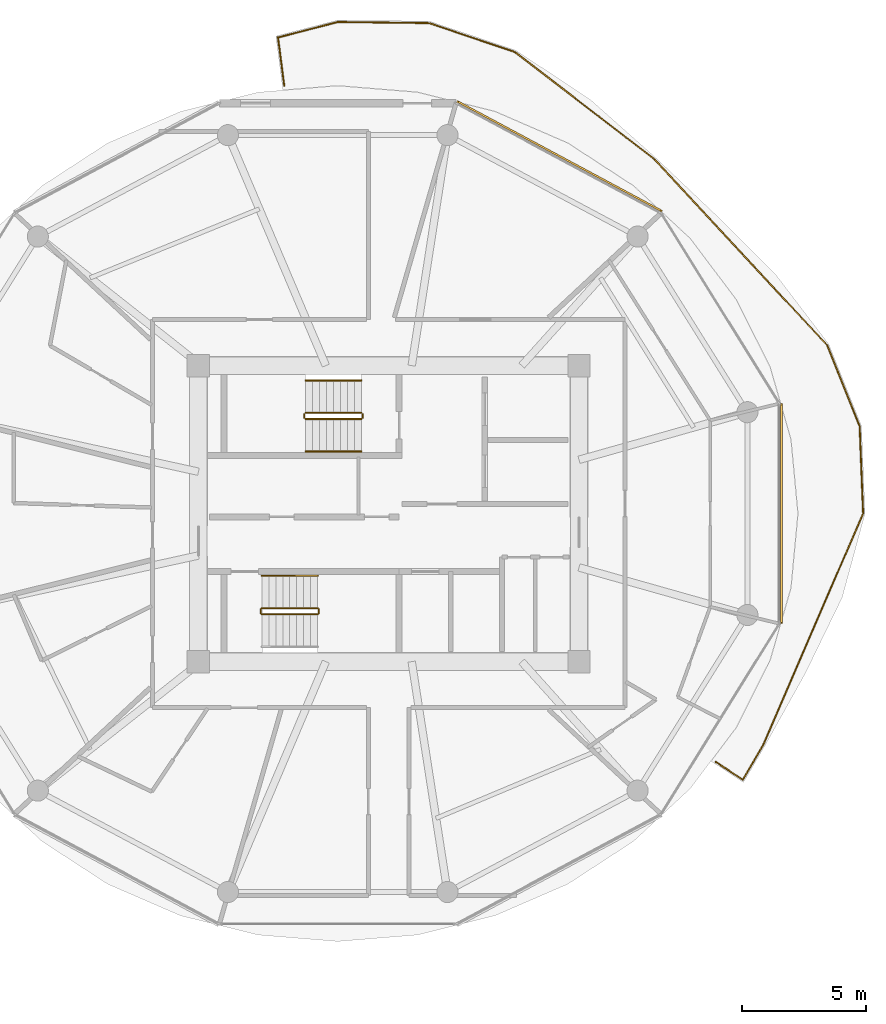
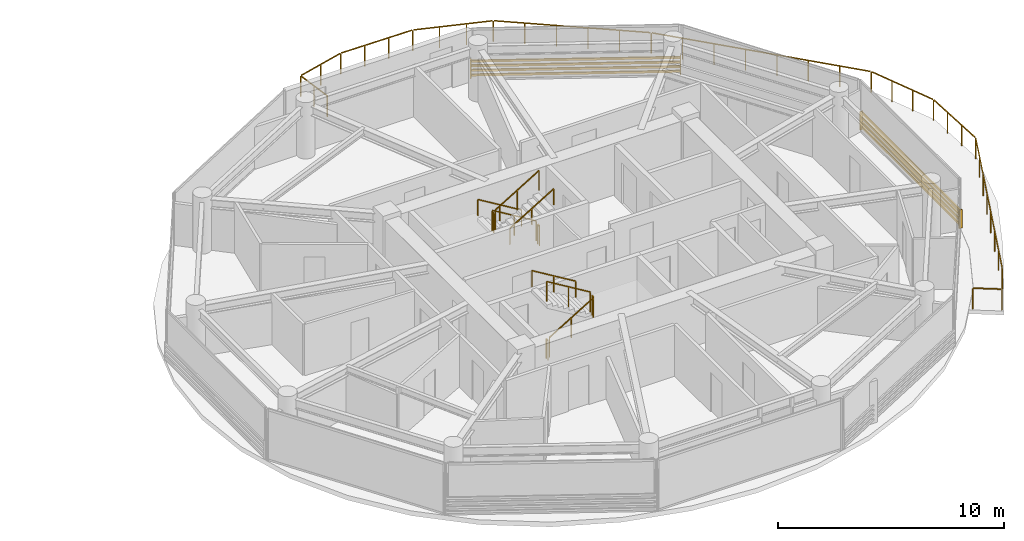
# One storey, part 24 of 24: 13 railings, 2 shading devices.
"""IFC4 building model written with IfcOpenShell, lengths in metres."""

from ifc_helpers import new_model, si_unit, direction, frame, origin, origin_2d, place, context, subcontext, project, spatial, rectangle, extrude, source, transform, mapped, material, type_object, type_shapes, element, save


model = new_model("IFC4")

# Units and contexts
model_context = context("Model", 3, precision=1e-05, world=origin(), true_north=direction((0.0, 1.0)))
body_context = subcontext(model_context, "Body", "Model", "MODEL_VIEW")
ifc_project = project(units=[si_unit("LENGTHUNIT", "METRE"), si_unit("AREAUNIT", "SQUARE_METRE"), si_unit("VOLUMEUNIT", "CUBIC_METRE"), si_unit("PLANEANGLEUNIT", "RADIAN"), si_unit("MASSUNIT", "GRAM", prefix="KILO")], contexts=[model_context])

# Site, building, storey
site_placement = place(None, origin())
site = spatial("IfcSite", under=ifc_project, at=site_placement, CompositionType="ELEMENT")
building_placement = place(site_placement, origin())
building = spatial("IfcBuilding", under=site, at=building_placement, Name="Norrkilde Senior Care Towers", CompositionType="ELEMENT")
storey_placement = place(building_placement, frame((0.0, 0.0, 108.449951171875)))
storey = spatial("IfcBuildingStorey", under=building, at=storey_placement, Name="L33", CompositionType="ELEMENT", Elevation=108.449951171875)

# Railings
ifc_material_1 = material(Name="Anodised Aluminium", Category="aluminium")
railing_type_1 = type_object("IfcRailingType", Name="Balcony Swirl Ribbon Guardrail 1150", PredefinedType="GUARDRAIL", material=ifc_material_1)
railing_1_placement = place(storey_placement, frame((43.063232421875, -9.281494140625, 0.0)))
element("IfcRailing", 1, at=railing_1_placement, inside=storey, type_object=railing_type_1, Name="L33 Perimeter Safety Guard 01", PredefinedType="GUARDRAIL", context=body_context, shape_type="SweptSolid", body=[
    extrude(rectangle(XDim=0.048095703125, YDim=0.048095703125, at=origin_2d()), frame((0.0, 0.0, 1.1259765625), z_axis=(-0.504591019827, -0.863358501846, 0.0), x_axis=(0.863358501846, -0.504591019827, 0.0)), (0.0, 0.0, 1.0), 1.603271484375),
    extrude(rectangle(XDim=0.048095703125, YDim=0.048095703125, at=origin_2d()), frame((-0.86376953125, -1.396728515625, 1.1259765625), z_axis=(-0.83341025272, 0.552654820535, 0.0), x_axis=(-0.552654820535, -0.83341025272, 0.0)), (0.0, 0.0, 1.0), 1.2548828125),
    extrude(rectangle(XDim=0.0419921875, YDim=0.0419921875, at=origin_2d()), origin(), (0.0, 0.0, 1.0), 1.099853515625),
    extrude(rectangle(XDim=0.0419921875, YDim=0.0419921875, at=origin_2d()), frame((-0.414794921875, -0.709716796875, 0.0)), (0.0, 0.0, 1.0), 1.099853515625),
    extrude(rectangle(XDim=0.0419921875, YDim=0.0419921875, at=origin_2d()), frame((-0.82958984375, -1.41943359375, 0.0)), (0.0, 0.0, 1.0), 1.099853515625),
    extrude(rectangle(XDim=0.0419921875, YDim=0.0419921875, at=origin_2d()), frame((-1.909423828125, -0.703369140625, 0.0)), (0.0, 0.0, 1.0), 1.099853515625),
])
railing_2_placement = place(storey_placement, frame((23.7998046875, 17.20556640625, 0.0)))
element("IfcRailing", 2, at=railing_2_placement, inside=storey, type_object=railing_type_1, Name="L33 Perimeter Safety Guard 02", PredefinedType="GUARDRAIL", context=body_context, shape_type="SweptSolid", body=[
    extrude(rectangle(XDim=0.048095703125, YDim=0.048095703125, at=origin_2d()), frame((0.0, 0.0, 1.1259765625), z_axis=(-0.128622390181, 0.991693642585, 0.0), x_axis=(-0.991693642585, -0.128622390181, 0.0)), (0.0, 0.0, 1.0), 1.910400390625),
    extrude(rectangle(XDim=0.048095703125, YDim=0.048095703125, at=origin_2d()), frame((-0.21142578125, 1.9453125, 1.1259765625), z_axis=(0.968215309007, 0.250118202864, 0.0), x_axis=(-0.250118202864, 0.968215309007, 0.0)), (0.0, 0.0, 1.0), 2.408203125),
    extrude(rectangle(XDim=0.048095703125, YDim=0.048095703125, at=origin_2d()), frame((2.20068359375, 2.557373046875, 1.1259765625), z_axis=(0.99993023854, -0.011811776043, 0.0), x_axis=(0.011811776043, 0.99993023854, 0.0)), (0.0, 0.0, 1.0), 3.57666015625),
    extrude(rectangle(XDim=0.048095703125, YDim=0.048095703125, at=origin_2d()), frame((5.85693359375, 2.501708984375, 1.1259765625), z_axis=(0.947661415817, -0.31927705989, 0.0), x_axis=(0.31927705989, 0.947661415817, 0.0)), (0.0, 0.0, 1.0), 3.567138671875),
    extrude(rectangle(XDim=0.048095703125, YDim=0.048095703125, at=origin_2d()), frame((9.30859375, 1.32470703125, 1.1259765625), z_axis=(0.792873317416, -0.609386496838, 0.0), x_axis=(0.609386496838, 0.792873317416, 0.0)), (0.0, 0.0, 1.0), 6.978271484375),
    extrude(rectangle(XDim=0.048095703125, YDim=0.048095703125, at=origin_2d()), frame((14.901611328125, -2.982666015625, 1.1259765625), z_axis=(0.680490514807, -0.732756889601, 0.0), x_axis=(0.732756889601, 0.680490514807, 0.0)), (0.0, 0.0, 1.0), 10.1337890625),
    extrude(rectangle(XDim=0.048095703125, YDim=0.048095703125, at=origin_2d()), frame((21.840576171875, -10.47607421875, 1.1259765625), z_axis=(0.372062041508, -0.92820786318, 0.0), x_axis=(0.92820786318, 0.372062041508, 0.0)), (0.0, 0.0, 1.0), 3.4287109375),
    extrude(rectangle(XDim=0.048095703125, YDim=0.048095703125, at=origin_2d()), frame((23.13330078125, -13.737548828125, 1.1259765625), z_axis=(0.03973142137, -0.99921039534, 0.0), x_axis=(0.99921039534, 0.03973142137, 0.0)), (0.0, 0.0, 1.0), 3.420654296875),
    extrude(rectangle(XDim=0.048095703125, YDim=0.048095703125, at=origin_2d()), frame((23.254638671875, -17.234130859375, 1.1259765625), z_axis=(-0.396061592679, -0.918223945889, 0.0), x_axis=(0.918223945889, -0.396061592679, 0.0)), (0.0, 0.0, 1.0), 10.0771484375),
    extrude(rectangle(XDim=0.0419921875, YDim=0.0419921875, at=origin_2d()), origin(), (0.0, 0.0, 1.0), 1.099853515625),
    extrude(rectangle(XDim=0.0419921875, YDim=0.0419921875, at=origin_2d()), frame((-0.12548828125, 0.967529296875, 0.0)), (0.0, 0.0, 1.0), 1.099853515625),
    extrude(rectangle(XDim=0.0419921875, YDim=0.0419921875, at=origin_2d()), frame((-0.2509765625, 1.93505859375, 0.0)), (0.0, 0.0, 1.0), 1.099853515625),
    extrude(rectangle(XDim=0.0419921875, YDim=0.0419921875, at=origin_2d()), frame((0.95458984375, 2.24658203125, 0.0)), (0.0, 0.0, 1.0), 1.099853515625),
    extrude(rectangle(XDim=0.0419921875, YDim=0.0419921875, at=origin_2d()), frame((2.159912109375, 2.557861328125, 0.0)), (0.0, 0.0, 1.0), 1.099853515625),
    extrude(rectangle(XDim=0.0419921875, YDim=0.0419921875, at=origin_2d()), frame((3.37939453125, 2.54345703125, 0.0)), (0.0, 0.0, 1.0), 1.099853515625),
    extrude(rectangle(XDim=0.0419921875, YDim=0.0419921875, at=origin_2d()), frame((4.5986328125, 2.529052734375, 0.0)), (0.0, 0.0, 1.0), 1.099853515625),
    extrude(rectangle(XDim=0.0419921875, YDim=0.0419921875, at=origin_2d()), frame((5.818115234375, 2.5146484375, 0.0)), (0.0, 0.0, 1.0), 1.099853515625),
    extrude(rectangle(XDim=0.0419921875, YDim=0.0419921875, at=origin_2d()), frame((6.970703125, 2.126220703125, 0.0)), (0.0, 0.0, 1.0), 1.099853515625),
    extrude(rectangle(XDim=0.0419921875, YDim=0.0419921875, at=origin_2d()), frame((8.12353515625, 1.738037109375, 0.0)), (0.0, 0.0, 1.0), 1.099853515625),
    extrude(rectangle(XDim=0.0419921875, YDim=0.0419921875, at=origin_2d()), frame((9.276123046875, 1.349609375, 0.0)), (0.0, 0.0, 1.0), 1.099853515625),
    extrude(rectangle(XDim=0.0419921875, YDim=0.0419921875, at=origin_2d()), frame((10.395751953125, 0.4892578125, 0.0)), (0.0, 0.0, 1.0), 1.099853515625),
    extrude(rectangle(XDim=0.0419921875, YDim=0.0419921875, at=origin_2d()), frame((11.51513671875, -0.371337890625, 0.0)), (0.0, 0.0, 1.0), 1.099853515625),
    extrude(rectangle(XDim=0.0419921875, YDim=0.0419921875, at=origin_2d()), frame((12.634765625, -1.231689453125, 0.0)), (0.0, 0.0, 1.0), 1.099853515625),
    extrude(rectangle(XDim=0.0419921875, YDim=0.0419921875, at=origin_2d()), frame((13.754150390625, -2.09228515625, 0.0)), (0.0, 0.0, 1.0), 1.099853515625),
    extrude(rectangle(XDim=0.0419921875, YDim=0.0419921875, at=origin_2d()), frame((14.873779296875, -2.95263671875, 0.0)), (0.0, 0.0, 1.0), 1.099853515625),
    extrude(rectangle(XDim=0.0419921875, YDim=0.0419921875, at=origin_2d()), frame((15.866943359375, -4.02197265625, 0.0)), (0.0, 0.0, 1.0), 1.099853515625),
    extrude(rectangle(XDim=0.0419921875, YDim=0.0419921875, at=origin_2d()), frame((16.85986328125, -5.09130859375, 0.0)), (0.0, 0.0, 1.0), 1.099853515625),
    extrude(rectangle(XDim=0.0419921875, YDim=0.0419921875, at=origin_2d()), frame((17.85302734375, -6.16064453125, 0.0)), (0.0, 0.0, 1.0), 1.099853515625),
    extrude(rectangle(XDim=0.0419921875, YDim=0.0419921875, at=origin_2d()), frame((18.84619140625, -7.230224609375, 0.0)), (0.0, 0.0, 1.0), 1.099853515625),
    extrude(rectangle(XDim=0.0419921875, YDim=0.0419921875, at=origin_2d()), frame((19.83935546875, -8.299560546875, 0.0)), (0.0, 0.0, 1.0), 1.099853515625),
    extrude(rectangle(XDim=0.0419921875, YDim=0.0419921875, at=origin_2d()), frame((20.832275390625, -9.368896484375, 0.0)), (0.0, 0.0, 1.0), 1.099853515625),
    extrude(rectangle(XDim=0.0419921875, YDim=0.0419921875, at=origin_2d()), frame((21.825439453125, -10.438232421875, 0.0)), (0.0, 0.0, 1.0), 1.099853515625),
    extrude(rectangle(XDim=0.0419921875, YDim=0.0419921875, at=origin_2d()), frame((22.2607421875, -11.5244140625, 0.0)), (0.0, 0.0, 1.0), 1.099853515625),
    extrude(rectangle(XDim=0.0419921875, YDim=0.0419921875, at=origin_2d()), frame((22.6962890625, -12.610595703125, 0.0)), (0.0, 0.0, 1.0), 1.099853515625),
    extrude(rectangle(XDim=0.0419921875, YDim=0.0419921875, at=origin_2d()), frame((23.131591796875, -13.69677734375, 0.0)), (0.0, 0.0, 1.0), 1.099853515625),
    extrude(rectangle(XDim=0.0419921875, YDim=0.0419921875, at=origin_2d()), frame((23.177978515625, -14.86328125, 0.0)), (0.0, 0.0, 1.0), 1.099853515625),
    extrude(rectangle(XDim=0.0419921875, YDim=0.0419921875, at=origin_2d()), frame((23.224365234375, -16.030029296875, 0.0)), (0.0, 0.0, 1.0), 1.099853515625),
    extrude(rectangle(XDim=0.0419921875, YDim=0.0419921875, at=origin_2d()), frame((23.270751953125, -17.196533203125, 0.0)), (0.0, 0.0, 1.0), 1.099853515625),
    extrude(rectangle(XDim=0.0419921875, YDim=0.0419921875, at=origin_2d()), frame((22.6982421875, -18.523681640625, 0.0)), (0.0, 0.0, 1.0), 1.099853515625),
    extrude(rectangle(XDim=0.0419921875, YDim=0.0419921875, at=origin_2d()), frame((22.125732421875, -19.85107421875, 0.0)), (0.0, 0.0, 1.0), 1.099853515625),
    extrude(rectangle(XDim=0.0419921875, YDim=0.0419921875, at=origin_2d()), frame((21.55322265625, -21.17822265625, 0.0)), (0.0, 0.0, 1.0), 1.099853515625),
    extrude(rectangle(XDim=0.0419921875, YDim=0.0419921875, at=origin_2d()), frame((20.98095703125, -22.50537109375, 0.0)), (0.0, 0.0, 1.0), 1.099853515625),
    extrude(rectangle(XDim=0.0419921875, YDim=0.0419921875, at=origin_2d()), frame((20.408447265625, -23.83251953125, 0.0)), (0.0, 0.0, 1.0), 1.099853515625),
    extrude(rectangle(XDim=0.0419921875, YDim=0.0419921875, at=origin_2d()), frame((19.8359375, -25.159912109375, 0.0)), (0.0, 0.0, 1.0), 1.099853515625),
    extrude(rectangle(XDim=0.0419921875, YDim=0.0419921875, at=origin_2d()), frame((19.263427734375, -26.487060546875, 0.0)), (0.0, 0.0, 1.0), 1.099853515625),
])
ifc_material_2 = material(Name="Stainless Steel", Category="steel")
railing_type_2 = type_object("IfcRailingType", Name="Stair and Terrace Guardrail 1100", PredefinedType="GUARDRAIL", material=ifc_material_2)
railing_3_placement = place(storey_placement, frame((26.89990234375, 4.050048828125, 0.16943359375)))
element("IfcRailing", 3, at=railing_3_placement, inside=storey, type_object=railing_type_2, Name="L33 ST-E1 stair guard 1", PredefinedType="GUARDRAIL", context=body_context, shape_type="SweptSolid", body=[
    extrude(rectangle(XDim=0.048095703125, YDim=0.048095703125, at=origin_2d()), frame((0.0, 0.0, 1.076171875), z_axis=(-0.855512035549, 0.0, 0.517782924622), x_axis=(0.0, -1.0, 0.0)), (0.0, 0.0, 1.0), 2.618408203125),
    extrude(rectangle(XDim=0.0419921875, YDim=0.0419921875, at=origin_2d()), origin(), (0.0, 0.0, 1.0), 1.050048828125),
    extrude(rectangle(XDim=0.0419921875, YDim=0.0419921875, at=origin_2d()), frame((-1.1201171875, 0.0, 0.677734375)), (0.0, 0.0, 1.0), 1.050048828125),
    extrude(rectangle(XDim=0.0419921875, YDim=0.0419921875, at=origin_2d()), frame((-2.239990234375, 0.0, 1.355712890625)), (0.0, 0.0, 1.0), 1.050048828125),
])
railing_4_placement = place(storey_placement, frame((24.610107421875, 4.0, 1.525146484375)))
element("IfcRailing", 4, at=railing_4_placement, inside=storey, type_object=railing_type_2, Name="L33 ST-E1 stair guard 2", PredefinedType="GUARDRAIL", context=body_context, shape_type="SweptSolid", body=[
    extrude(rectangle(XDim=0.048095703125, YDim=0.048095703125, at=origin_2d()), frame((0.0, 0.0, 1.076171875), z_axis=(0.0, -1.0, 0.0), x_axis=(1.0, 0.0, 0.0)), (0.0, 0.0, 1.0), 0.14990234375),
    extrude(rectangle(XDim=0.0419921875, YDim=0.0419921875, at=origin_2d()), origin(), (0.0, 0.0, 1.0), 1.050048828125),
    extrude(rectangle(XDim=0.0419921875, YDim=0.0419921875, at=origin_2d()), frame((0.0, -0.14990234375, 0.0)), (0.0, 0.0, 1.0), 1.050048828125),
])
railing_5_placement = place(storey_placement, frame((24.659912109375, 3.800048828125, 1.694580078125)))
element("IfcRailing", 5, at=railing_5_placement, inside=storey, type_object=railing_type_2, Name="L33 ST-E1 stair guard 3", PredefinedType="GUARDRAIL", context=body_context, shape_type="SweptSolid", body=[
    extrude(rectangle(XDim=0.048095703125, YDim=0.048095703125, at=origin_2d()), frame((0.0, 0.0, 1.076171875), z_axis=(0.855553338991, 0.0, 0.51771467445), x_axis=(0.0, 1.0, 0.0)), (0.0, 0.0, 1.0), 2.6181640625),
    extrude(rectangle(XDim=0.0419921875, YDim=0.0419921875, at=origin_2d()), origin(), (0.0, 0.0, 1.0), 1.050048828125),
    extrude(rectangle(XDim=0.0419921875, YDim=0.0419921875, at=origin_2d()), frame((1.1201171875, 0.0, 0.677734375)), (0.0, 0.0, 1.0), 1.050048828125),
    extrude(rectangle(XDim=0.0419921875, YDim=0.0419921875, at=origin_2d()), frame((2.239990234375, 0.0, 1.35546875)), (0.0, 0.0, 1.0), 1.050048828125),
])
railing_6_placement = place(storey_placement, frame((26.949951171875, 4.0, 0.0)))
element("IfcRailing", 6, at=railing_6_placement, inside=storey, type_object=railing_type_2, Name="L33 ST-E1 stair guard 4", PredefinedType="GUARDRAIL", context=body_context, shape_type="SweptSolid", body=[
    extrude(rectangle(XDim=0.048095703125, YDim=0.048095703125, at=origin_2d()), frame((0.0, 0.0, 1.076171875), z_axis=(0.0, -1.0, 0.0), x_axis=(1.0, 0.0, 0.0)), (0.0, 0.0, 1.0), 0.14990234375),
    extrude(rectangle(XDim=0.0419921875, YDim=0.0419921875, at=origin_2d()), origin(), (0.0, 0.0, 1.0), 1.050048828125),
    extrude(rectangle(XDim=0.0419921875, YDim=0.0419921875, at=origin_2d()), frame((0.0, -0.14990234375, 0.0)), (0.0, 0.0, 1.0), 1.050048828125),
])
railing_7_placement = place(storey_placement, frame((22.89990234375, -4.050048828125, 0.16943359375)))
element("IfcRailing", 7, at=railing_7_placement, inside=storey, type_object=railing_type_2, Name="L33 ST-E2 stair guard 1", PredefinedType="GUARDRAIL", context=body_context, shape_type="SweptSolid", body=[
    extrude(rectangle(XDim=0.048095703125, YDim=0.048095703125, at=origin_2d()), frame((0.0, 0.0, 1.076171875), z_axis=(0.855512035549, 0.0, 0.517782924622), x_axis=(0.0, 1.0, 0.0)), (0.0, 0.0, 1.0), 2.618408203125),
    extrude(rectangle(XDim=0.0419921875, YDim=0.0419921875, at=origin_2d()), origin(), (0.0, 0.0, 1.0), 1.050048828125),
    extrude(rectangle(XDim=0.0419921875, YDim=0.0419921875, at=origin_2d()), frame((1.1201171875, 0.0, 0.677734375)), (0.0, 0.0, 1.0), 1.050048828125),
    extrude(rectangle(XDim=0.0419921875, YDim=0.0419921875, at=origin_2d()), frame((2.239990234375, 0.0, 1.355712890625)), (0.0, 0.0, 1.0), 1.050048828125),
])
railing_8_placement = place(storey_placement, frame((25.18994140625, -4.0, 1.525146484375)))
element("IfcRailing", 8, at=railing_8_placement, inside=storey, type_object=railing_type_2, Name="L33 ST-E2 stair guard 2", PredefinedType="GUARDRAIL", context=body_context, shape_type="SweptSolid", body=[
    extrude(rectangle(XDim=0.048095703125, YDim=0.048095703125, at=origin_2d()), frame((0.0, 0.0, 1.076171875), z_axis=(0.0, 1.0, 0.0), x_axis=(-1.0, 0.0, 0.0)), (0.0, 0.0, 1.0), 0.14990234375),
    extrude(rectangle(XDim=0.0419921875, YDim=0.0419921875, at=origin_2d()), origin(), (0.0, 0.0, 1.0), 1.050048828125),
    extrude(rectangle(XDim=0.0419921875, YDim=0.0419921875, at=origin_2d()), frame((0.0, 0.14990234375, 0.0)), (0.0, 0.0, 1.0), 1.050048828125),
])
railing_9_placement = place(storey_placement, frame((25.139892578125, -3.800048828125, 1.694580078125)))
element("IfcRailing", 9, at=railing_9_placement, inside=storey, type_object=railing_type_2, Name="L33 ST-E2 stair guard 3", PredefinedType="GUARDRAIL", context=body_context, shape_type="SweptSolid", body=[
    extrude(rectangle(XDim=0.048095703125, YDim=0.048095703125, at=origin_2d()), frame((0.0, 0.0, 1.076171875), z_axis=(-0.855553338991, 0.0, 0.51771467445), x_axis=(0.0, -1.0, 0.0)), (0.0, 0.0, 1.0), 2.6181640625),
    extrude(rectangle(XDim=0.0419921875, YDim=0.0419921875, at=origin_2d()), origin(), (0.0, 0.0, 1.0), 1.050048828125),
    extrude(rectangle(XDim=0.0419921875, YDim=0.0419921875, at=origin_2d()), frame((-1.1201171875, 0.0, 0.677734375)), (0.0, 0.0, 1.0), 1.050048828125),
    extrude(rectangle(XDim=0.0419921875, YDim=0.0419921875, at=origin_2d()), frame((-2.239990234375, 0.0, 1.35546875)), (0.0, 0.0, 1.0), 1.050048828125),
])
railing_10_placement = place(storey_placement, frame((22.85009765625, -4.0, 0.0)))
element("IfcRailing", 10, at=railing_10_placement, inside=storey, type_object=railing_type_2, Name="L33 ST-E2 stair guard 4", PredefinedType="GUARDRAIL", context=body_context, shape_type="SweptSolid", body=[
    extrude(rectangle(XDim=0.048095703125, YDim=0.048095703125, at=origin_2d()), frame((0.0, 0.0, 1.076171875), z_axis=(0.0, 1.0, 0.0), x_axis=(-1.0, 0.0, 0.0)), (0.0, 0.0, 1.0), 0.14990234375),
    extrude(rectangle(XDim=0.0419921875, YDim=0.0419921875, at=origin_2d()), origin(), (0.0, 0.0, 1.0), 1.050048828125),
    extrude(rectangle(XDim=0.0419921875, YDim=0.0419921875, at=origin_2d()), frame((0.0, 0.14990234375, 0.0)), (0.0, 0.0, 1.0), 1.050048828125),
])
ifc_material_3 = material(Name="Nordic Ash Timber", Category="wood")
railing_type_3 = type_object("IfcRailingType", Name="Wall and Stair Handrail 900", PredefinedType="HANDRAIL", material=ifc_material_3)
railing_11_placement = place(storey_placement, frame((26.89990234375, 5.35009765625, 0.16943359375)))
element("IfcRailing", 11, at=railing_11_placement, inside=storey, type_object=railing_type_3, Name="L33 ST-E1 stair handrail 1", PredefinedType="HANDRAIL", context=body_context, shape_type="SweptSolid", body=[
    extrude(rectangle(XDim=0.048095703125, YDim=0.048095703125, at=origin_2d()), frame((0.0, 0.0, 0.8759765625), z_axis=(-0.855512035549, 0.0, 0.517782924622), x_axis=(0.0, -1.0, 0.0)), (0.0, 0.0, 1.0), 2.618408203125),
    extrude(rectangle(XDim=0.0419921875, YDim=0.0419921875, at=origin_2d()), origin(), (0.0, 0.0, 1.0), 0.849853515625),
    extrude(rectangle(XDim=0.0419921875, YDim=0.0419921875, at=origin_2d()), frame((-1.1201171875, 0.0, 0.677734375)), (0.0, 0.0, 1.0), 0.849853515625),
    extrude(rectangle(XDim=0.0419921875, YDim=0.0419921875, at=origin_2d()), frame((-2.239990234375, 0.0, 1.355712890625)), (0.0, 0.0, 1.0), 0.849853515625),
])
railing_12_placement = place(storey_placement, frame((24.659912109375, 2.5, 1.694580078125)))
element("IfcRailing", 12, at=railing_12_placement, inside=storey, type_object=railing_type_3, Name="L33 ST-E1 stair handrail 2", PredefinedType="HANDRAIL", context=body_context, shape_type="SweptSolid", body=[
    extrude(rectangle(XDim=0.048095703125, YDim=0.048095703125, at=origin_2d()), frame((0.0, 0.0, 0.8759765625), z_axis=(0.855553338991, 0.0, 0.51771467445), x_axis=(0.0, 1.0, 0.0)), (0.0, 0.0, 1.0), 2.6181640625),
    extrude(rectangle(XDim=0.0419921875, YDim=0.0419921875, at=origin_2d()), origin(), (0.0, 0.0, 1.0), 0.849853515625),
    extrude(rectangle(XDim=0.0419921875, YDim=0.0419921875, at=origin_2d()), frame((1.1201171875, 0.0, 0.677734375)), (0.0, 0.0, 1.0), 0.849853515625),
    extrude(rectangle(XDim=0.0419921875, YDim=0.0419921875, at=origin_2d()), frame((2.239990234375, 0.0, 1.35546875)), (0.0, 0.0, 1.0), 0.849853515625),
])
railing_13_placement = place(storey_placement, frame((25.139892578125, -2.5, 1.694580078125)))
element("IfcRailing", 13, at=railing_13_placement, inside=storey, type_object=railing_type_3, Name="L33 ST-E2 stair handrail 2", PredefinedType="HANDRAIL", context=body_context, shape_type="SweptSolid", body=[
    extrude(rectangle(XDim=0.048095703125, YDim=0.048095703125, at=origin_2d()), frame((0.0, 0.0, 0.8759765625), z_axis=(-0.855553338991, 0.0, 0.51771467445), x_axis=(0.0, -1.0, 0.0)), (0.0, 0.0, 1.0), 2.6181640625),
    extrude(rectangle(XDim=0.0419921875, YDim=0.0419921875, at=origin_2d()), origin(), (0.0, 0.0, 1.0), 0.849853515625),
    extrude(rectangle(XDim=0.0419921875, YDim=0.0419921875, at=origin_2d()), frame((-1.1201171875, 0.0, 0.677734375)), (0.0, 0.0, 1.0), 0.849853515625),
    extrude(rectangle(XDim=0.0419921875, YDim=0.0419921875, at=origin_2d()), frame((-2.239990234375, 0.0, 1.35546875)), (0.0, 0.0, 1.0), 0.849853515625),
])

# Shading devices
ifc_material_4 = material(Name="Architectural Terracotta", Category="masonry")
shading_device_type = type_object("IfcShadingDeviceType", Name="Horizontal Terracotta Baguette Rack", PredefinedType="USERDEFINED", material=ifc_material_4)
shared_shape_1 = source(origin(), body_context, "Body", "SweptSolid", [
    extrude(rectangle(XDim=0.070068359375, YDim=0.110107421875, at=origin_2d()), frame((0.0, 0.090087890625, 0.125), z_axis=(1.0, 0.0, 0.0), x_axis=(0.0, 1.0, 0.0)), (0.0, 0.0, 1.0), 9.3505859375),
    extrude(rectangle(XDim=0.070068359375, YDim=0.110107421875, at=origin_2d()), frame((0.0, 0.090087890625, 0.375), z_axis=(1.0, 0.0, 0.0), x_axis=(0.0, 1.0, 0.0)), (0.0, 0.0, 1.0), 9.3505859375),
    extrude(rectangle(XDim=0.070068359375, YDim=0.110107421875, at=origin_2d()), frame((0.0, 0.090087890625, 0.625), z_axis=(1.0, 0.0, 0.0), x_axis=(0.0, 1.0, 0.0)), (0.0, 0.0, 1.0), 9.3505859375),
    extrude(rectangle(XDim=0.070068359375, YDim=0.110107421875, at=origin_2d()), frame((0.0, 0.090087890625, 0.875), z_axis=(1.0, 0.0, 0.0), x_axis=(0.0, 1.0, 0.0)), (0.0, 0.0, 1.0), 9.3505859375),
    extrude(rectangle(XDim=0.050048828125, YDim=0.1552734375, at=origin_2d()), frame((0.02490234375, 0.047607421875, 0.0)), (0.0, 0.0, 1.0), 1.0),
    extrude(rectangle(XDim=0.050048828125, YDim=0.1552734375, at=origin_2d()), frame((9.32568359375, 0.047607421875, 0.0)), (0.0, 0.0, 1.0), 1.0),
])
shading_device_1_placement = place(storey_placement, frame((30.70703125, 16.498046875, 0.080078125), z_axis=(0.0, 0.0, 1.0), x_axis=(0.881174934726, -0.472767624021, 0.0)))
element("IfcShadingDevice", 14, at=shading_device_1_placement, inside=storey, type_object=shading_device_type, Name="L33 Drum E Terracotta Baguette Screen 01", ObjectType="BAGUETTE", PredefinedType="USERDEFINED", context=body_context, shape_type="MappedRepresentation", body=[
    mapped(shared_shape_1, transform((0.0, 0.0, 0.0), x_axis=(1.0, 0.0, 0.0), y_axis=(0.0, 1.0, 0.0), z_axis=(0.0, 0.0, 1.0), scale=1.0)),
])
shared_shape_2 = source(origin(), body_context, "Body", "SweptSolid", [
    extrude(rectangle(XDim=0.070068359375, YDim=0.110107421875, at=origin_2d()), frame((0.0, 0.090087890625, 0.125), z_axis=(1.0, 0.0, 0.0), x_axis=(0.0, 1.0, 0.0)), (0.0, 0.0, 1.0), 8.84130859375),
    extrude(rectangle(XDim=0.070068359375, YDim=0.110107421875, at=origin_2d()), frame((0.0, 0.090087890625, 0.375), z_axis=(1.0, 0.0, 0.0), x_axis=(0.0, 1.0, 0.0)), (0.0, 0.0, 1.0), 8.84130859375),
    extrude(rectangle(XDim=0.070068359375, YDim=0.110107421875, at=origin_2d()), frame((0.0, 0.090087890625, 0.625), z_axis=(1.0, 0.0, 0.0), x_axis=(0.0, 1.0, 0.0)), (0.0, 0.0, 1.0), 8.84130859375),
    extrude(rectangle(XDim=0.070068359375, YDim=0.110107421875, at=origin_2d()), frame((0.0, 0.090087890625, 0.875), z_axis=(1.0, 0.0, 0.0), x_axis=(0.0, 1.0, 0.0)), (0.0, 0.0, 1.0), 8.84130859375),
    extrude(rectangle(XDim=0.050048828125, YDim=0.1552734375, at=origin_2d()), frame((0.02490234375, 0.047607421875, 0.0)), (0.0, 0.0, 1.0), 1.0),
    extrude(rectangle(XDim=0.050048828125, YDim=0.1552734375, at=origin_2d()), frame((8.81640625, 0.047607421875, 0.0)), (0.0, 0.0, 1.0), 1.0),
])
type_shapes(shading_device_type, [shared_shape_1, shared_shape_2])
shading_device_2_placement = place(storey_placement, frame((43.70361328125, 4.420654296875, 0.080078125), z_axis=(0.0, 0.0, 1.0), x_axis=(0.0, -1.0, 0.0)))
element("IfcShadingDevice", 15, at=shading_device_2_placement, inside=storey, type_object=shading_device_type, Name="L33 Drum E Terracotta Baguette Screen 11", ObjectType="BAGUETTE", PredefinedType="USERDEFINED", context=body_context, shape_type="MappedRepresentation", body=[
    mapped(shared_shape_2, transform((0.0, 0.0, 0.0), x_axis=(1.0, 0.0, 0.0), y_axis=(0.0, 1.0, 0.0), z_axis=(0.0, 0.0, 1.0), scale=1.0)),
])

save(model, "model.ifc")
